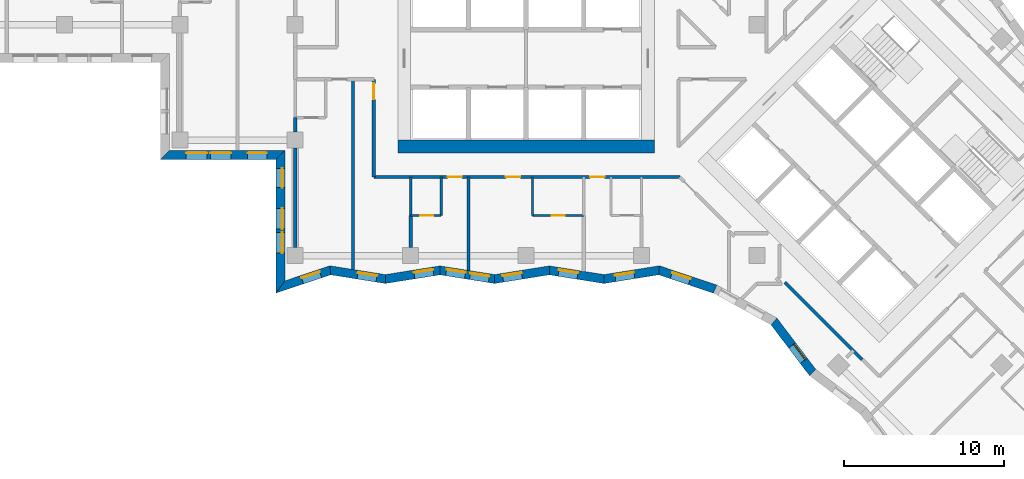
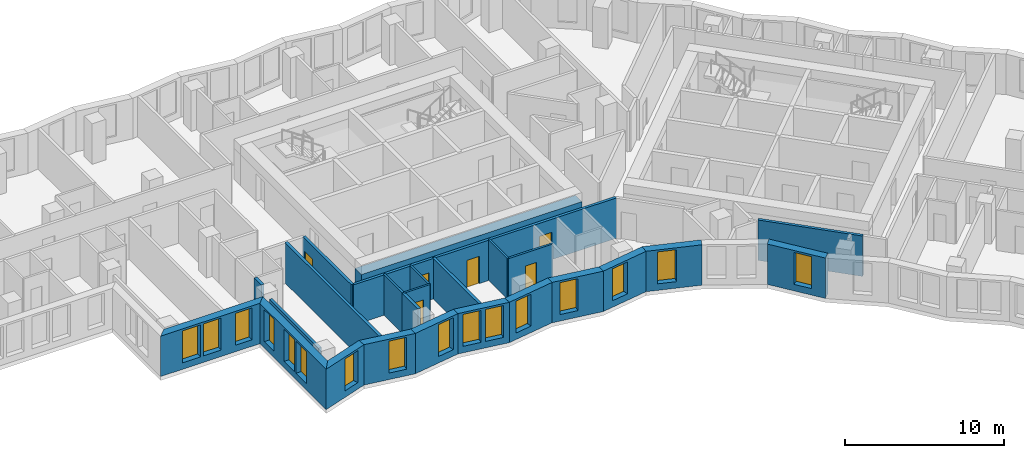
# One storey, part 2 of 13: 25 walls, 16 windows, 6 doors, 22 openings.
"""IFC4 building model written with IfcOpenShell, lengths in metres."""

from ifc_helpers import new_model, si_unit, direction, frame, frame_2d, origin, place, context, subcontext, project, spatial, polyline, rectangle, outline, extrude, material, layer, layer_set, type_object, element, fill, save


model = new_model("IFC4")

# Units and contexts
model_context = context("Model", 3, precision=1e-05, world=origin(), true_north=direction((0.0, 1.0)))
body_context = subcontext(model_context, "Body", "Model", "MODEL_VIEW")
ifc_project = project(units=[si_unit("LENGTHUNIT", "METRE"), si_unit("AREAUNIT", "SQUARE_METRE"), si_unit("VOLUMEUNIT", "CUBIC_METRE"), si_unit("PLANEANGLEUNIT", "RADIAN"), si_unit("MASSUNIT", "GRAM", prefix="KILO")], contexts=[model_context])

# Site, building, storey
site_placement = place(None, origin())
site = spatial("IfcSite", under=ifc_project, at=site_placement, CompositionType="ELEMENT")
building_placement = place(site_placement, origin())
building = spatial("IfcBuilding", under=site, at=building_placement, Name="Windrow Commons", CompositionType="ELEMENT")
storey_placement = place(building_placement, frame((0.0, 0.0, 108.4)))
storey = spatial("IfcBuildingStorey", under=building, at=storey_placement, Name="L29", CompositionType="ELEMENT", Elevation=108.4)

# Wall, openings, windows
ifc_material_1 = material(Name="Brick masonry, red clay brick", Category="masonry")
ifc_layer_1 = layer(ifc_material_1, 0.55)
ifc_layer_set_1 = layer_set([ifc_layer_1], Name="Brick facade wall 550")
wall_type_1 = type_object("IfcWallType", Name="Brick facade wall 550", PredefinedType="SOLIDWALL", material=ifc_layer_set_1)
wall_1_placement = place(storey_placement, frame((42.275, 49.475, 0.0), z_axis=(0.0, 0.0, 1.0), x_axis=(1.0, 0.0, 0.0)))
wall_1 = element("IfcWall", 1, at=wall_1_placement, inside=storey, type_object=wall_type_1, Name="Brick facade wall L29 42", PredefinedType="SOLIDWALL", context=body_context, shape_type="SweptSolid", body=[
    extrude(outline(polyline([(-0.275, -0.275), (6.925, -0.275), (7.475, 0.275), (0.275, 0.275), (-0.275, -0.275)])), origin(), (0.0, 0.0, 1.0), 3.1),
])
opening_1_placement = place(wall_1_placement, frame((1.325, 0.0, 0.5)))
opening_1 = element("IfcOpeningElement", 2, at=opening_1_placement, cuts=wall_1, Name="Opening W1P", PredefinedType="OPENING", context=body_context, shape_type="SweptSolid", body=[
    extrude(rectangle(XDim=1.3, YDim=2.45, at=frame_2d((0.65, 1.225))), frame((0.0, 0.285, 0.0), z_axis=(0.0, -1.0, 0.0), x_axis=(1.0, 0.0, 0.0)), (0.0, 0.0, 1.0), 0.57),
])
opening_2_placement = place(wall_1_placement, frame((2.825, 0.0, 0.5)))
opening_2 = element("IfcOpeningElement", 3, at=opening_2_placement, cuts=wall_1, Name="Opening W1P", PredefinedType="OPENING", context=body_context, shape_type="SweptSolid", body=[
    extrude(rectangle(XDim=1.3, YDim=2.45, at=frame_2d((0.65, 1.225))), frame((0.0, 0.285, 0.0), z_axis=(0.0, -1.0, 0.0), x_axis=(1.0, 0.0, 0.0)), (0.0, 0.0, 1.0), 0.57),
])
opening_3_placement = place(wall_1_placement, frame((5.1625, 0.0, 0.5)))
opening_3 = element("IfcOpeningElement", 4, at=opening_3_placement, cuts=wall_1, Name="Opening W7D", PredefinedType="OPENING", context=body_context, shape_type="SweptSolid", body=[
    extrude(rectangle(XDim=1.2, YDim=2.45, at=frame_2d((0.6, 1.225))), frame((0.0, 0.285, 0.0), z_axis=(0.0, -1.0, 0.0), x_axis=(1.0, 0.0, 0.0)), (0.0, 0.0, 1.0), 0.57),
])
ifc_material_2 = material(Name="Clear float glass in anodised aluminium frame", Category="aluminium")
window_type_1 = type_object("IfcWindowType", Name="Window W1P pair 1300x2450", PartitioningType="SINGLE_PANEL", PredefinedType="WINDOW", material=ifc_material_2)
window_1_placement = place(opening_1_placement, origin())
window_1 = element("IfcWindow", 5, at=window_1_placement, inside=storey, type_object=window_type_1, Name="Window L29 42.1A", OverallHeight=2.45, OverallWidth=1.3, PartitioningType="SINGLE_PANEL", PredefinedType="WINDOW", context=body_context, shape_type="SweptSolid", body=[
    extrude(rectangle(XDim=1.3, YDim=2.45, at=frame_2d((0.65, 1.225))), frame((0.0, 0.155, 0.0), z_axis=(0.0, -1.0, 0.0), x_axis=(1.0, 0.0, 0.0)), (0.0, 0.0, 1.0), 0.06),
])
fill(opening_1, window_1)
window_2_placement = place(opening_2_placement, origin())
window_2 = element("IfcWindow", 6, at=window_2_placement, inside=storey, type_object=window_type_1, Name="Window L29 42.1B", OverallHeight=2.45, OverallWidth=1.3, PartitioningType="SINGLE_PANEL", PredefinedType="WINDOW", context=body_context, shape_type="SweptSolid", body=[
    extrude(rectangle(XDim=1.3, YDim=2.45, at=frame_2d((0.65, 1.225))), frame((0.0, 0.155, 0.0), z_axis=(0.0, -1.0, 0.0), x_axis=(1.0, 0.0, 0.0)), (0.0, 0.0, 1.0), 0.06),
])
fill(opening_2, window_2)
ifc_material_3 = material(Name="Clear float glass in anodised aluminium frame", Category="aluminium")
window_type_2 = type_object("IfcWindowType", Name="Window W7 notch 1200x2450", PartitioningType="SINGLE_PANEL", PredefinedType="WINDOW", material=ifc_material_3)
window_3_placement = place(opening_3_placement, origin())
window_3 = element("IfcWindow", 7, at=window_3_placement, inside=storey, type_object=window_type_2, Name="Window L29 42.2", OverallHeight=2.45, OverallWidth=1.2, PartitioningType="SINGLE_PANEL", PredefinedType="WINDOW", context=body_context, shape_type="SweptSolid", body=[
    extrude(rectangle(XDim=1.2, YDim=2.45, at=frame_2d((0.6, 1.225))), frame((0.0, 0.155, 0.0), z_axis=(0.0, -1.0, 0.0), x_axis=(1.0, 0.0, 0.0)), (0.0, 0.0, 1.0), 0.06),
])
fill(opening_3, window_3)

wall_2_placement = place(storey_placement, frame((49.475, 49.475, 0.0), z_axis=(0.0, 0.0, 1.0), x_axis=(0.0, -1.0, 0.0)))
wall_2 = element("IfcWall", 8, at=wall_2_placement, inside=storey, type_object=wall_type_1, Name="Brick facade wall L29 43", PredefinedType="SOLIDWALL", context=body_context, shape_type="SweptSolid", body=[
    extrude(outline(polyline([(0.275, -0.275), (8.617, -0.275), (7.8528, 0.275), (-0.275, 0.275), (0.275, -0.275)])), origin(), (0.0, 0.0, 1.0), 3.1),
])
opening_4_placement = place(wall_2_placement, frame((3.325, 0.0, 0.5)))
opening_4 = element("IfcOpeningElement", 9, at=opening_4_placement, cuts=wall_2, Name="Opening W1P", PredefinedType="OPENING", context=body_context, shape_type="SweptSolid", body=[
    extrude(rectangle(XDim=1.3, YDim=2.45, at=frame_2d((0.65, 1.225))), frame((0.0, 0.285, 0.0), z_axis=(0.0, -1.0, 0.0), x_axis=(1.0, 0.0, 0.0)), (0.0, 0.0, 1.0), 0.57),
])
opening_5_placement = place(wall_2_placement, frame((4.825, 0.0, 0.5)))
opening_5 = element("IfcOpeningElement", 10, at=opening_5_placement, cuts=wall_2, Name="Opening W1P", PredefinedType="OPENING", context=body_context, shape_type="SweptSolid", body=[
    extrude(rectangle(XDim=1.3, YDim=2.45, at=frame_2d((0.65, 1.225))), frame((0.0, 0.285, 0.0), z_axis=(0.0, -1.0, 0.0), x_axis=(1.0, 0.0, 0.0)), (0.0, 0.0, 1.0), 0.57),
])
opening_6_placement = place(wall_2_placement, frame((0.8375, 0.0, 0.5)))
opening_6 = element("IfcOpeningElement", 11, at=opening_6_placement, cuts=wall_2, Name="Opening W7D", PredefinedType="OPENING", context=body_context, shape_type="SweptSolid", body=[
    extrude(rectangle(XDim=1.2, YDim=2.45, at=frame_2d((0.6, 1.225))), frame((0.0, 0.285, 0.0), z_axis=(0.0, -1.0, 0.0), x_axis=(1.0, 0.0, 0.0)), (0.0, 0.0, 1.0), 0.57),
])
window_4_placement = place(opening_4_placement, origin())
window_4 = element("IfcWindow", 12, at=window_4_placement, inside=storey, type_object=window_type_1, Name="Window L29 43.1A", OverallHeight=2.45, OverallWidth=1.3, PartitioningType="SINGLE_PANEL", PredefinedType="WINDOW", context=body_context, shape_type="SweptSolid", body=[
    extrude(rectangle(XDim=1.3, YDim=2.45, at=frame_2d((0.65, 1.225))), frame((0.0, 0.155, 0.0), z_axis=(0.0, -1.0, 0.0), x_axis=(1.0, 0.0, 0.0)), (0.0, 0.0, 1.0), 0.06),
])
fill(opening_4, window_4)
window_5_placement = place(opening_5_placement, origin())
window_5 = element("IfcWindow", 13, at=window_5_placement, inside=storey, type_object=window_type_1, Name="Window L29 43.1B", OverallHeight=2.45, OverallWidth=1.3, PartitioningType="SINGLE_PANEL", PredefinedType="WINDOW", context=body_context, shape_type="SweptSolid", body=[
    extrude(rectangle(XDim=1.3, YDim=2.45, at=frame_2d((0.65, 1.225))), frame((0.0, 0.155, 0.0), z_axis=(0.0, -1.0, 0.0), x_axis=(1.0, 0.0, 0.0)), (0.0, 0.0, 1.0), 0.06),
])
fill(opening_5, window_5)
window_6_placement = place(opening_6_placement, origin())
window_6 = element("IfcWindow", 14, at=window_6_placement, inside=storey, type_object=window_type_2, Name="Window L29 43.2", OverallHeight=2.45, OverallWidth=1.2, PartitioningType="SINGLE_PANEL", PredefinedType="WINDOW", context=body_context, shape_type="SweptSolid", body=[
    extrude(rectangle(XDim=1.2, YDim=2.45, at=frame_2d((0.6, 1.225))), frame((0.0, 0.155, 0.0), z_axis=(0.0, -1.0, 0.0), x_axis=(1.0, 0.0, 0.0)), (0.0, 0.0, 1.0), 0.06),
])
fill(opening_6, window_6)

# Wall, opening, window
wall_3_placement = place(storey_placement, frame((49.475, 41.2401, 0.0), z_axis=(0.0, 0.0, 1.0), x_axis=(0.9482466671, 0.3175346568, 0.0)))
wall_3 = element("IfcWall", 15, at=wall_3_placement, inside=storey, type_object=wall_type_1, Name="Brick facade wall L29 44", PredefinedType="SOLIDWALL", context=body_context, shape_type="SweptSolid", body=[
    extrude(outline(polyline([(-0.3821, -0.275), (3.2144, -0.275), (3.3492, 0.275), (0.3821, 0.275), (-0.3821, -0.275)])), origin(), (0.0, 0.0, 1.0), 3.1),
])
opening_7_placement = place(wall_3_placement, frame((1.4286, 0.0, 0.5)))
opening_7 = element("IfcOpeningElement", 16, at=opening_7_placement, cuts=wall_3, Name="Opening W7D", PredefinedType="OPENING", context=body_context, shape_type="SweptSolid", body=[
    extrude(rectangle(XDim=1.2, YDim=2.45, at=frame_2d((0.6, 1.225))), frame((0.0, 0.285, 0.0), z_axis=(0.0, -1.0, 0.0), x_axis=(1.0, 0.0, 0.0)), (0.0, 0.0, 1.0), 0.57),
])
window_7_placement = place(opening_7_placement, origin())
window_7 = element("IfcWindow", 17, at=window_7_placement, inside=storey, type_object=window_type_2, Name="Window L29 44.1", OverallHeight=2.45, OverallWidth=1.2, PartitioningType="SINGLE_PANEL", PredefinedType="WINDOW", context=body_context, shape_type="SweptSolid", body=[
    extrude(rectangle(XDim=1.2, YDim=2.45, at=frame_2d((0.6, 1.225))), frame((0.0, 0.155, 0.0), z_axis=(0.0, -1.0, 0.0), x_axis=(1.0, 0.0, 0.0)), (0.0, 0.0, 1.0), 0.06),
])
fill(opening_7, window_7)

wall_4_placement = place(storey_placement, frame((52.587, 42.2822, 0.0), z_axis=(0.0, 0.0, 1.0), x_axis=(0.9876057519, -0.1569550219, 0.0)))
wall_4 = element("IfcWall", 18, at=wall_4_placement, inside=storey, type_object=wall_type_1, Name="Brick facade wall L29 45", PredefinedType="SOLIDWALL", context=body_context, shape_type="SweptSolid", body=[
    extrude(outline(polyline([(0.0674, -0.275), (3.5206, -0.275), (3.4332, 0.275), (-0.0674, 0.275), (0.0674, -0.275)])), origin(), (0.0, 0.0, 1.0), 3.1),
])
opening_8_placement = place(wall_4_placement, frame((1.732, 0.0, 0.5)))
opening_8 = element("IfcOpeningElement", 19, at=opening_8_placement, cuts=wall_4, Name="Opening W7D", PredefinedType="OPENING", context=body_context, shape_type="SweptSolid", body=[
    extrude(rectangle(XDim=1.2, YDim=2.45, at=frame_2d((0.6, 1.225))), frame((0.0, 0.285, 0.0), z_axis=(0.0, -1.0, 0.0), x_axis=(1.0, 0.0, 0.0)), (0.0, 0.0, 1.0), 0.57),
])
window_8_placement = place(opening_8_placement, origin())
window_8 = element("IfcWindow", 20, at=window_8_placement, inside=storey, type_object=window_type_2, Name="Window L29 45.1", OverallHeight=2.45, OverallWidth=1.2, PartitioningType="SINGLE_PANEL", PredefinedType="WINDOW", context=body_context, shape_type="SweptSolid", body=[
    extrude(rectangle(XDim=1.2, YDim=2.45, at=frame_2d((0.6, 1.225))), frame((0.0, 0.155, 0.0), z_axis=(0.0, -1.0, 0.0), x_axis=(1.0, 0.0, 0.0)), (0.0, 0.0, 1.0), 0.06),
])
fill(opening_8, window_8)

wall_5_placement = place(storey_placement, frame((56.0207, 41.7365, 0.0), z_axis=(0.0, 0.0, 1.0), x_axis=(0.9876056196, 0.1569558544, 0.0)))
wall_5 = element("IfcWall", 21, at=wall_5_placement, inside=storey, type_object=wall_type_1, Name="Brick facade wall L29 46", PredefinedType="SOLIDWALL", context=body_context, shape_type="SweptSolid", body=[
    extrude(outline(polyline([(-0.0437, -0.275), (3.4095, -0.275), (3.4969, 0.275), (0.0437, 0.275), (-0.0437, -0.275)])), origin(), (0.0, 0.0, 1.0), 3.1),
])
opening_9_placement = place(wall_5_placement, frame((1.8261, 0.0, 0.5)))
opening_9 = element("IfcOpeningElement", 22, at=opening_9_placement, cuts=wall_5, Name="Opening W7D", PredefinedType="OPENING", context=body_context, shape_type="SweptSolid", body=[
    extrude(rectangle(XDim=1.2, YDim=2.45, at=frame_2d((0.6, 1.225))), frame((0.0, 0.285, 0.0), z_axis=(0.0, -1.0, 0.0), x_axis=(1.0, 0.0, 0.0)), (0.0, 0.0, 1.0), 0.57),
])
window_9_placement = place(opening_9_placement, origin())
window_9 = element("IfcWindow", 23, at=window_9_placement, inside=storey, type_object=window_type_2, Name="Window L29 46.1", OverallHeight=2.45, OverallWidth=1.2, PartitioningType="SINGLE_PANEL", PredefinedType="WINDOW", context=body_context, shape_type="SweptSolid", body=[
    extrude(rectangle(XDim=1.2, YDim=2.45, at=frame_2d((0.6, 1.225))), frame((0.0, 0.155, 0.0), z_axis=(0.0, -1.0, 0.0), x_axis=(1.0, 0.0, 0.0)), (0.0, 0.0, 1.0), 0.06),
])
fill(opening_9, window_9)

# Wall, openings, windows
wall_6_placement = place(storey_placement, frame((59.4311, 42.2785, 0.0), z_axis=(0.0, 0.0, 1.0), x_axis=(0.9876049061, -0.1569603434, 0.0)))
wall_6 = element("IfcWall", 24, at=wall_6_placement, inside=storey, type_object=wall_type_1, Name="Brick facade wall L29 47", PredefinedType="SOLIDWALL", context=body_context, shape_type="SweptSolid", body=[
    extrude(outline(polyline([(0.0437, -0.275), (3.4969, -0.275), (3.4095, 0.275), (-0.0437, 0.275), (0.0437, -0.275)])), origin(), (0.0, 0.0, 1.0), 3.1),
])
opening_10_placement = place(wall_6_placement, frame((0.3956, 0.0, 0.5)))
opening_10 = element("IfcOpeningElement", 25, at=opening_10_placement, cuts=wall_6, Name="Opening W7D", PredefinedType="OPENING", context=body_context, shape_type="SweptSolid", body=[
    extrude(rectangle(XDim=1.2, YDim=2.45, at=frame_2d((0.6, 1.225))), frame((0.0, 0.285, 0.0), z_axis=(0.0, -1.0, 0.0), x_axis=(1.0, 0.0, 0.0)), (0.0, 0.0, 1.0), 0.57),
])
opening_11_placement = place(wall_6_placement, frame((1.9003, 0.0, 0.5)))
opening_11 = element("IfcOpeningElement", 26, at=opening_11_placement, cuts=wall_6, Name="Opening W7D", PredefinedType="OPENING", context=body_context, shape_type="SweptSolid", body=[
    extrude(rectangle(XDim=1.2, YDim=2.45, at=frame_2d((0.6, 1.225))), frame((0.0, 0.285, 0.0), z_axis=(0.0, -1.0, 0.0), x_axis=(1.0, 0.0, 0.0)), (0.0, 0.0, 1.0), 0.57),
])
window_10_placement = place(opening_10_placement, origin())
window_10 = element("IfcWindow", 27, at=window_10_placement, inside=storey, type_object=window_type_2, Name="Window L29 47.1", OverallHeight=2.45, OverallWidth=1.2, PartitioningType="SINGLE_PANEL", PredefinedType="WINDOW", context=body_context, shape_type="SweptSolid", body=[
    extrude(rectangle(XDim=1.2, YDim=2.45, at=frame_2d((0.6, 1.225))), frame((0.0, 0.155, 0.0), z_axis=(0.0, -1.0, 0.0), x_axis=(1.0, 0.0, 0.0)), (0.0, 0.0, 1.0), 0.06),
])
fill(opening_10, window_10)
window_11_placement = place(opening_11_placement, origin())
window_11 = element("IfcWindow", 28, at=window_11_placement, inside=storey, type_object=window_type_2, Name="Window L29 47.2", OverallHeight=2.45, OverallWidth=1.2, PartitioningType="SINGLE_PANEL", PredefinedType="WINDOW", context=body_context, shape_type="SweptSolid", body=[
    extrude(rectangle(XDim=1.2, YDim=2.45, at=frame_2d((0.6, 1.225))), frame((0.0, 0.155, 0.0), z_axis=(0.0, -1.0, 0.0), x_axis=(1.0, 0.0, 0.0)), (0.0, 0.0, 1.0), 0.06),
])
fill(opening_11, window_11)

# Wall, opening, window
wall_7_placement = place(storey_placement, frame((62.8414, 41.7365, 0.0), z_axis=(0.0, 0.0, 1.0), x_axis=(0.9876056196, 0.1569558544, 0.0)))
wall_7 = element("IfcWall", 29, at=wall_7_placement, inside=storey, type_object=wall_type_1, Name="Brick facade wall L29 48", PredefinedType="SOLIDWALL", context=body_context, shape_type="SweptSolid", body=[
    extrude(outline(polyline([(-0.0437, -0.275), (3.4095, -0.275), (3.4969, 0.275), (0.0437, 0.275), (-0.0437, -0.275)])), origin(), (0.0, 0.0, 1.0), 3.1),
])
opening_12_placement = place(wall_7_placement, frame((0.5134, 0.0, 0.5)))
opening_12 = element("IfcOpeningElement", 30, at=opening_12_placement, cuts=wall_7, Name="Opening W7D", PredefinedType="OPENING", context=body_context, shape_type="SweptSolid", body=[
    extrude(rectangle(XDim=1.2, YDim=2.45, at=frame_2d((0.6, 1.225))), frame((0.0, 0.285, 0.0), z_axis=(0.0, -1.0, 0.0), x_axis=(1.0, 0.0, 0.0)), (0.0, 0.0, 1.0), 0.57),
])
window_12_placement = place(opening_12_placement, origin())
window_12 = element("IfcWindow", 31, at=window_12_placement, inside=storey, type_object=window_type_2, Name="Window L29 48.1", OverallHeight=2.45, OverallWidth=1.2, PartitioningType="SINGLE_PANEL", PredefinedType="WINDOW", context=body_context, shape_type="SweptSolid", body=[
    extrude(rectangle(XDim=1.2, YDim=2.45, at=frame_2d((0.6, 1.225))), frame((0.0, 0.155, 0.0), z_axis=(0.0, -1.0, 0.0), x_axis=(1.0, 0.0, 0.0)), (0.0, 0.0, 1.0), 0.06),
])
fill(opening_12, window_12)

wall_8_placement = place(storey_placement, frame((66.2518, 42.2785, 0.0), z_axis=(0.0, 0.0, 1.0), x_axis=(0.9876056196, -0.1569558544, 0.0)))
wall_8 = element("IfcWall", 32, at=wall_8_placement, inside=storey, type_object=wall_type_1, Name="Brick facade wall L29 49", PredefinedType="SOLIDWALL", context=body_context, shape_type="SweptSolid", body=[
    extrude(outline(polyline([(0.0437, -0.275), (3.4969, -0.275), (3.4095, 0.275), (-0.0437, 0.275), (0.0437, -0.275)])), origin(), (0.0, 0.0, 1.0), 3.1),
])
opening_13_placement = place(wall_8_placement, frame((0.5876, 0.0, 0.5)))
opening_13 = element("IfcOpeningElement", 33, at=opening_13_placement, cuts=wall_8, Name="Opening W7D", PredefinedType="OPENING", context=body_context, shape_type="SweptSolid", body=[
    extrude(rectangle(XDim=1.2, YDim=2.45, at=frame_2d((0.6, 1.225))), frame((0.0, 0.285, 0.0), z_axis=(0.0, -1.0, 0.0), x_axis=(1.0, 0.0, 0.0)), (0.0, 0.0, 1.0), 0.57),
])
window_13_placement = place(opening_13_placement, origin())
window_13 = element("IfcWindow", 34, at=window_13_placement, inside=storey, type_object=window_type_2, Name="Window L29 49.1", OverallHeight=2.45, OverallWidth=1.2, PartitioningType="SINGLE_PANEL", PredefinedType="WINDOW", context=body_context, shape_type="SweptSolid", body=[
    extrude(rectangle(XDim=1.2, YDim=2.45, at=frame_2d((0.6, 1.225))), frame((0.0, 0.155, 0.0), z_axis=(0.0, -1.0, 0.0), x_axis=(1.0, 0.0, 0.0)), (0.0, 0.0, 1.0), 0.06),
])
fill(opening_13, window_13)

wall_9_placement = place(storey_placement, frame((69.6622, 41.7365, 0.0), z_axis=(0.0, 0.0, 1.0), x_axis=(0.9876057519, 0.1569550219, 0.0)))
wall_9 = element("IfcWall", 35, at=wall_9_placement, inside=storey, type_object=wall_type_1, Name="Brick facade wall L29 50", PredefinedType="SOLIDWALL", context=body_context, shape_type="SweptSolid", body=[
    extrude(outline(polyline([(-0.0437, -0.275), (3.4095, -0.275), (3.5443, 0.275), (0.0437, 0.275), (-0.0437, -0.275)])), origin(), (0.0, 0.0, 1.0), 3.1),
])
opening_14_placement = place(wall_9_placement, frame((0.7054, 0.0, 0.5)))
opening_14 = element("IfcOpeningElement", 36, at=opening_14_placement, cuts=wall_9, Name="Opening W7D", PredefinedType="OPENING", context=body_context, shape_type="SweptSolid", body=[
    extrude(rectangle(XDim=1.2, YDim=2.45, at=frame_2d((0.6, 1.225))), frame((0.0, 0.285, 0.0), z_axis=(0.0, -1.0, 0.0), x_axis=(1.0, 0.0, 0.0)), (0.0, 0.0, 1.0), 0.57),
])
window_14_placement = place(opening_14_placement, origin())
window_14 = element("IfcWindow", 37, at=window_14_placement, inside=storey, type_object=window_type_2, Name="Window L29 50.1", OverallHeight=2.45, OverallWidth=1.2, PartitioningType="SINGLE_PANEL", PredefinedType="WINDOW", context=body_context, shape_type="SweptSolid", body=[
    extrude(rectangle(XDim=1.2, YDim=2.45, at=frame_2d((0.6, 1.225))), frame((0.0, 0.155, 0.0), z_axis=(0.0, -1.0, 0.0), x_axis=(1.0, 0.0, 0.0)), (0.0, 0.0, 1.0), 0.06),
])
fill(opening_14, window_14)

wall_10_placement = place(storey_placement, frame((73.0959, 42.2822, 0.0), z_axis=(0.0, 0.0, 1.0), x_axis=(0.9482459269, -0.3175368672, 0.0)))
wall_10 = element("IfcWall", 38, at=wall_10_placement, inside=storey, type_object=wall_type_1, Name="Brick facade wall L29 51", PredefinedType="SOLIDWALL", context=body_context, shape_type="SweptSolid", body=[
    extrude(outline(polyline([(0.0674, -0.275), (3.6639, -0.275), (3.7135, 0.275), (-0.0674, 0.275), (0.0674, -0.275)])), origin(), (0.0, 0.0, 1.0), 3.1),
])
opening_15_placement = place(wall_10_placement, frame((0.8204, 0.0, 0.5)))
opening_15 = element("IfcOpeningElement", 39, at=opening_15_placement, cuts=wall_10, Name="Opening W7D", PredefinedType="OPENING", context=body_context, shape_type="SweptSolid", body=[
    extrude(rectangle(XDim=1.2, YDim=2.45, at=frame_2d((0.6, 1.225))), frame((0.0, 0.285, 0.0), z_axis=(0.0, -1.0, 0.0), x_axis=(1.0, 0.0, 0.0)), (0.0, 0.0, 1.0), 0.57),
])
window_15_placement = place(opening_15_placement, origin())
window_15 = element("IfcWindow", 40, at=window_15_placement, inside=storey, type_object=window_type_2, Name="Window L29 51.1", OverallHeight=2.45, OverallWidth=1.2, PartitioningType="SINGLE_PANEL", PredefinedType="WINDOW", context=body_context, shape_type="SweptSolid", body=[
    extrude(rectangle(XDim=1.2, YDim=2.45, at=frame_2d((0.6, 1.225))), frame((0.0, 0.155, 0.0), z_axis=(0.0, -1.0, 0.0), x_axis=(1.0, 0.0, 0.0)), (0.0, 0.0, 1.0), 0.06),
])
fill(opening_15, window_15)

wall_11_placement = place(storey_placement, frame((80.2585, 39.094, 0.0), z_axis=(0.0, 0.0, 1.0), x_axis=(0.6040769252, -0.7969260119, 0.0)))
wall_11 = element("IfcWall", 41, at=wall_11_placement, inside=storey, type_object=wall_type_1, Name="Brick facade wall L29 53", PredefinedType="SOLIDWALL", context=body_context, shape_type="SweptSolid", body=[
    extrude(outline(polyline([(0.0585, -0.275), (4.0332, -0.275), (3.9575, 0.275), (-0.0585, 0.275), (0.0585, -0.275)])), origin(), (0.0, 0.0, 1.0), 3.1),
])
opening_16_placement = place(wall_11_placement, frame((1.876, 0.0, 0.5)))
opening_16 = element("IfcOpeningElement", 42, at=opening_16_placement, cuts=wall_11, Name="Opening W7D", PredefinedType="OPENING", context=body_context, shape_type="SweptSolid", body=[
    extrude(rectangle(XDim=1.2, YDim=2.45, at=frame_2d((0.6, 1.225))), frame((0.0, 0.285, 0.0), z_axis=(0.0, -1.0, 0.0), x_axis=(1.0, 0.0, 0.0)), (0.0, 0.0, 1.0), 0.57),
])
window_16_placement = place(opening_16_placement, origin())
window_16 = element("IfcWindow", 43, at=window_16_placement, inside=storey, type_object=window_type_2, Name="Window L29 53.1", OverallHeight=2.45, OverallWidth=1.2, PartitioningType="SINGLE_PANEL", PredefinedType="WINDOW", context=body_context, shape_type="SweptSolid", body=[
    extrude(rectangle(XDim=1.2, YDim=2.45, at=frame_2d((0.6, 1.225))), frame((0.0, 0.155, 0.0), z_axis=(0.0, -1.0, 0.0), x_axis=(1.0, 0.0, 0.0)), (0.0, 0.0, 1.0), 0.06),
])
fill(opening_16, window_16)

# Wall, openings, doors
ifc_material_4 = material(Name="Blockwork partition", Category="masonry")
ifc_layer_2 = layer(ifc_material_4, 0.2)
ifc_layer_set_2 = layer_set([ifc_layer_2], Name="IW-CORRIDOR-200")
wall_type_2 = type_object("IfcWallType", Name="IW-CORRIDOR-200", PredefinedType="PARTITIONING", material=ifc_layer_set_2)
wall_12_placement = place(storey_placement, frame((55.3, 48.1, 0.0), z_axis=(0.0, 0.0, 1.0), x_axis=(1.0, 0.0, 0.0)))
wall_12 = element("IfcWall", 44, at=wall_12_placement, inside=storey, type_object=wall_type_2, Name="W-L29-W003", PredefinedType="PARTITIONING", context=body_context, shape_type="SweptSolid", body=[
    extrude(rectangle(XDim=19.092, YDim=0.2, at=frame_2d((9.546, 0.0))), origin(), (0.0, 0.0, 1.0), 3.1),
])
opening_17_placement = place(wall_12_placement, frame((4.6, 0.0, 0.0)))
opening_17 = element("IfcOpeningElement", 45, at=opening_17_placement, cuts=wall_12, Name="Opening D109S", PredefinedType="OPENING", context=body_context, shape_type="SweptSolid", body=[
    extrude(rectangle(XDim=0.9, YDim=2.1, at=frame_2d((0.45, 1.05))), frame((0.0, 0.11, 0.0), z_axis=(0.0, -1.0, 0.0), x_axis=(1.0, 0.0, 0.0)), (0.0, 0.0, 1.0), 0.22),
])
opening_18_placement = place(wall_12_placement, frame((8.2393, 0.0, 0.0)))
opening_18 = element("IfcOpeningElement", 46, at=opening_18_placement, cuts=wall_12, Name="Opening D109F", PredefinedType="OPENING", context=body_context, shape_type="SweptSolid", body=[
    extrude(rectangle(XDim=0.9, YDim=2.1, at=frame_2d((0.45, 1.05))), frame((0.0, 0.11, 0.0), z_axis=(0.0, -1.0, 0.0), x_axis=(1.0, 0.0, 0.0)), (0.0, 0.0, 1.0), 0.22),
])
opening_19_placement = place(wall_12_placement, frame((13.5, 0.0, 0.0)))
opening_19 = element("IfcOpeningElement", 47, at=opening_19_placement, cuts=wall_12, Name="Opening D109S", PredefinedType="OPENING", context=body_context, shape_type="SweptSolid", body=[
    extrude(rectangle(XDim=0.9, YDim=2.1, at=frame_2d((0.45, 1.05))), frame((0.0, 0.11, 0.0), z_axis=(0.0, -1.0, 0.0), x_axis=(1.0, 0.0, 0.0)), (0.0, 0.0, 1.0), 0.22),
])
ifc_material_5 = material(Name="Timber door leaf", Category="wood")
door_type_1 = type_object("IfcDoorType", Name="DT-BEDROOM-900", OperationType="SINGLE_SWING_LEFT", PredefinedType="DOOR", material=ifc_material_5)
door_1_placement = place(opening_17_placement, origin())
door_1 = element("IfcDoor", 48, at=door_1_placement, inside=storey, type_object=door_type_1, Name="D-L29-D028", OperationType="SINGLE_SWING_LEFT", OverallHeight=2.1, OverallWidth=0.9, PredefinedType="DOOR", context=body_context, shape_type="SweptSolid", body=[
    extrude(rectangle(XDim=0.9, YDim=2.1, at=frame_2d((0.45, 1.05))), frame((0.0, 0.025, 0.0), z_axis=(0.0, -1.0, 0.0), x_axis=(1.0, 0.0, 0.0)), (0.0, 0.0, 1.0), 0.05),
])
fill(opening_17, door_1)
door_2_placement = place(opening_18_placement, origin())
door_2 = element("IfcDoor", 49, at=door_2_placement, inside=storey, type_object=door_type_1, Name="D-L29-D030", OperationType="SINGLE_SWING_RIGHT", OverallHeight=2.1, OverallWidth=0.9, PredefinedType="DOOR", context=body_context, shape_type="SweptSolid", body=[
    extrude(rectangle(XDim=0.9, YDim=2.1, at=frame_2d((0.45, 1.05))), frame((0.0, 0.025, 0.0), z_axis=(0.0, -1.0, 0.0), x_axis=(1.0, 0.0, 0.0)), (0.0, 0.0, 1.0), 0.05),
])
fill(opening_18, door_2)
door_3_placement = place(opening_19_placement, origin())
door_3 = element("IfcDoor", 50, at=door_3_placement, inside=storey, type_object=door_type_1, Name="D-L29-D032", OperationType="SINGLE_SWING_RIGHT", OverallHeight=2.1, OverallWidth=0.9, PredefinedType="DOOR", context=body_context, shape_type="SweptSolid", body=[
    extrude(rectangle(XDim=0.9, YDim=2.1, at=frame_2d((0.45, 1.05))), frame((0.0, 0.025, 0.0), z_axis=(0.0, -1.0, 0.0), x_axis=(1.0, 0.0, 0.0)), (0.0, 0.0, 1.0), 0.05),
])
fill(opening_19, door_3)

# Wall
wall_13_placement = place(storey_placement, frame((80.9485, 41.5365, 0.0), z_axis=(0.0, 0.0, 1.0), x_axis=(0.7071067812, -0.7071067812, 0.0)))
element("IfcWall", 51, at=wall_13_placement, inside=storey, type_object=wall_type_2, Name="W-L29-W023", PredefinedType="PARTITIONING", context=body_context, shape_type="SweptSolid", body=[
    extrude(rectangle(XDim=6.8222, YDim=0.2, at=frame_2d((3.4111, 0.0))), origin(), (0.0, 0.0, 1.0), 3.1),
])

# Wall, opening, door
wall_14_placement = place(storey_placement, frame((55.3, 48.1, 0.0), z_axis=(0.0, 0.0, 1.0), x_axis=(0.0, 1.0, 0.0)))
wall_14 = element("IfcWall", 52, at=wall_14_placement, inside=storey, type_object=wall_type_2, Name="W-L29-W027", PredefinedType="PARTITIONING", context=body_context, shape_type="SweptSolid", body=[
    extrude(rectangle(XDim=6.1, YDim=0.2, at=frame_2d((3.05, 0.0))), origin(), (0.0, 0.0, 1.0), 3.1),
])
opening_20_placement = place(wall_14_placement, frame((4.8446, 0.0, 0.0)))
opening_20 = element("IfcOpeningElement", 53, at=opening_20_placement, cuts=wall_14, Name="Opening D310F", PredefinedType="OPENING", context=body_context, shape_type="SweptSolid", body=[
    extrude(rectangle(XDim=1.0, YDim=2.1, at=frame_2d((0.5, 1.05))), frame((0.0, 0.11, 0.0), z_axis=(0.0, -1.0, 0.0), x_axis=(1.0, 0.0, 0.0)), (0.0, 0.0, 1.0), 0.22),
])
ifc_material_6 = material(Name="Timber door leaf", Category="wood")
door_type_2 = type_object("IfcDoorType", Name="DT-AMENITY-1000", OperationType="SINGLE_SWING_LEFT", PredefinedType="DOOR", material=ifc_material_6)
door_4_placement = place(opening_20_placement, origin())
door_4 = element("IfcDoor", 54, at=door_4_placement, inside=storey, type_object=door_type_2, Name="D-L29-D023", OperationType="SINGLE_SWING_RIGHT", OverallHeight=2.1, OverallWidth=1.0, PredefinedType="DOOR", context=body_context, shape_type="SweptSolid", body=[
    extrude(rectangle(XDim=1.0, YDim=2.1, at=frame_2d((0.5, 1.05))), frame((0.0, 0.025, 0.0), z_axis=(0.0, -1.0, 0.0), x_axis=(1.0, 0.0, 0.0)), (0.0, 0.0, 1.0), 0.05),
])
fill(opening_20, door_4)

ifc_material_7 = material(Name="Blockwork partition", Category="masonry")
ifc_layer_3 = layer(ifc_material_7, 0.15)
ifc_layer_set_3 = layer_set([ifc_layer_3], Name="IW-ENSUITE-150")
wall_type_3 = type_object("IfcWallType", Name="IW-ENSUITE-150", PredefinedType="PARTITIONING", material=ifc_layer_set_3)
wall_15_placement = place(storey_placement, frame((65.2, 45.7, 0.0), z_axis=(0.0, 0.0, 1.0), x_axis=(1.0, 0.0, 0.0)))
wall_15 = element("IfcWall", 55, at=wall_15_placement, inside=storey, type_object=wall_type_3, Name="W-L29-W058", PredefinedType="PARTITIONING", context=body_context, shape_type="SweptSolid", body=[
    extrude(rectangle(XDim=3.2, YDim=0.15, at=frame_2d((1.6, 0.0))), origin(), (0.0, 0.0, 1.0), 3.1),
])
opening_21_placement = place(wall_15_placement, frame((1.2042, 0.0, 0.0)))
opening_21 = element("IfcOpeningElement", 56, at=opening_21_placement, cuts=wall_15, Name="Opening D208N", PredefinedType="OPENING", context=body_context, shape_type="SweptSolid", body=[
    extrude(rectangle(XDim=0.8, YDim=2.1, at=frame_2d((0.4, 1.05))), frame((0.0, 0.085, 0.0), z_axis=(0.0, -1.0, 0.0), x_axis=(1.0, 0.0, 0.0)), (0.0, 0.0, 1.0), 0.17),
])
ifc_material_8 = material(Name="Timber door leaf", Category="wood")
door_type_3 = type_object("IfcDoorType", Name="DT-ENSUITE-800", OperationType="SINGLE_SWING_LEFT", PredefinedType="DOOR", material=ifc_material_8)
door_5_placement = place(opening_21_placement, origin())
door_5 = element("IfcDoor", 57, at=door_5_placement, inside=storey, type_object=door_type_3, Name="D-L29-D031", OperationType="SINGLE_SWING_RIGHT", OverallHeight=2.1, OverallWidth=0.8, PredefinedType="DOOR", context=body_context, shape_type="SweptSolid", body=[
    extrude(rectangle(XDim=0.8, YDim=2.1, at=frame_2d((0.4, 1.05))), frame((0.0, 0.025, 0.0), z_axis=(0.0, -1.0, 0.0), x_axis=(1.0, 0.0, 0.0)), (0.0, 0.0, 1.0), 0.05),
])
fill(opening_21, door_5)

# Walls
for number, where, z_axis, x_axis, name in (
    (58, (59.5, 45.7, 0.0), (0.0, 0.0, 1.0), (0.0, 1.0, 0.0), "W-L29-W086"),
    (59, (57.6, 45.7, 0.0), (0.0, 0.0, 1.0), (0.0, 1.0, 0.0), "W-L29-W087"),
    (60, (65.2, 45.7, 0.0), (0.0, 0.0, 1.0), (0.0, 1.0, 0.0), "W-L29-W088"),
):
    element("IfcWall", number, at=place(storey_placement, frame(where, z_axis=z_axis, x_axis=x_axis)), inside=storey, type_object=wall_type_3, Name=name, PredefinedType="PARTITIONING", context=body_context, shape_type="SweptSolid", body=[
        extrude(rectangle(XDim=2.4, YDim=0.15, at=frame_2d((1.2, 0.0))), origin(), (0.0, 0.0, 1.0), 3.1),
    ])

# Wall, opening, door
wall_16_placement = place(storey_placement, frame((57.6, 45.7, 0.0), z_axis=(0.0, 0.0, 1.0), x_axis=(1.0, 0.0, 0.0)))
wall_16 = element("IfcWall", 61, at=wall_16_placement, inside=storey, type_object=wall_type_3, Name="W-L29-W126", PredefinedType="PARTITIONING", context=body_context, shape_type="SweptSolid", body=[
    extrude(rectangle(XDim=1.9, YDim=0.15, at=frame_2d((0.95, 0.0))), origin(), (0.0, 0.0, 1.0), 3.1),
])
opening_22_placement = place(wall_16_placement, frame((0.6069, 0.0, 0.0)))
opening_22 = element("IfcOpeningElement", 62, at=opening_22_placement, cuts=wall_16, Name="Opening D208N", PredefinedType="OPENING", context=body_context, shape_type="SweptSolid", body=[
    extrude(rectangle(XDim=0.8, YDim=2.1, at=frame_2d((0.4, 1.05))), frame((0.0, 0.085, 0.0), z_axis=(0.0, -1.0, 0.0), x_axis=(1.0, 0.0, 0.0)), (0.0, 0.0, 1.0), 0.17),
])
door_6_placement = place(opening_22_placement, origin())
door_6 = element("IfcDoor", 63, at=door_6_placement, inside=storey, type_object=door_type_3, Name="D-L29-D029", OperationType="SINGLE_SWING_RIGHT", OverallHeight=2.1, OverallWidth=0.8, PredefinedType="DOOR", context=body_context, shape_type="SweptSolid", body=[
    extrude(rectangle(XDim=0.8, YDim=2.1, at=frame_2d((0.4, 1.05))), frame((0.0, 0.025, 0.0), z_axis=(0.0, -1.0, 0.0), x_axis=(1.0, 0.0, 0.0)), (0.0, 0.0, 1.0), 0.05),
])
fill(opening_22, door_6)

# Walls
ifc_material_9 = material(Name="Blockwork partition", Category="masonry")
ifc_layer_4 = layer(ifc_material_9, 0.2)
ifc_layer_set_4 = layer_set([ifc_layer_4], Name="IW-PARTY-200")
wall_type_4 = type_object("IfcWallType", Name="IW-PARTY-200", PredefinedType="PARTITIONING", material=ifc_layer_set_4)
wall_17_placement = place(storey_placement, frame((54.0, 42.3361, 0.0), z_axis=(0.0, 0.0, 1.0), x_axis=(0.0, 1.0, 0.0)))
element("IfcWall", 64, at=wall_17_placement, inside=storey, type_object=wall_type_4, Name="W-L29-W008", PredefinedType="PARTITIONING", context=body_context, shape_type="SweptSolid", body=[
    extrude(rectangle(XDim=11.8639, YDim=0.2, at=frame_2d((5.9319, 0.0))), origin(), (0.0, 0.0, 1.0), 3.1),
])
wall_18_placement = place(storey_placement, frame((50.4, 43.7, 0.0), z_axis=(0.0, 0.0, 1.0), x_axis=(0.0, 1.0, 0.0)))
element("IfcWall", 65, at=wall_18_placement, inside=storey, type_object=wall_type_4, Name="W-L29-W026", PredefinedType="PARTITIONING", context=body_context, shape_type="SweptSolid", body=[
    extrude(rectangle(XDim=6.2, YDim=0.2, at=frame_2d((3.1, 0.0))), origin(), (0.0, 0.0, 1.0), 2.6),
])
wall_19_placement = place(storey_placement, frame((61.2, 42.2758, 0.0), z_axis=(0.0, 0.0, 1.0), x_axis=(0.0, 1.0, 0.0)))
element("IfcWall", 66, at=wall_19_placement, inside=storey, type_object=wall_type_4, Name="W-L29-W033", PredefinedType="PARTITIONING", context=body_context, shape_type="SweptSolid", body=[
    extrude(rectangle(XDim=5.8242, YDim=0.2, at=frame_2d((2.9121, 0.0))), origin(), (0.0, 0.0, 1.0), 3.1),
])
wall_20_placement = place(storey_placement, frame((57.6, 43.7, 0.0), z_axis=(0.0, 0.0, 1.0), x_axis=(0.0, 1.0, 0.0)))
element("IfcWall", 67, at=wall_20_placement, inside=storey, type_object=wall_type_4, Name="W-L29-W107", PredefinedType="PARTITIONING", context=body_context, shape_type="SweptSolid", body=[
    extrude(rectangle(XDim=2.0, YDim=0.2, at=frame_2d((1.0, 0.0))), origin(), (0.0, 0.0, 1.0), 3.1),
])
wall_21_placement = place(storey_placement, frame((50.4, 50.9, 0.0), z_axis=(0.0, 0.0, 1.0), x_axis=(0.0, 1.0, 0.0)))
element("IfcWall", 68, at=wall_21_placement, inside=storey, type_object=wall_type_4, Name="W-L29-W141", PredefinedType="PARTITIONING", context=body_context, shape_type="SweptSolid", body=[
    extrude(rectangle(XDim=0.9, YDim=0.2, at=frame_2d((0.45, 0.0))), origin(), (0.0, 0.0, 1.0), 3.1),
])
ifc_material_10 = material(Name="Concrete C50/60", Category="concrete")
ifc_layer_5 = layer(ifc_material_10, 0.8)
ifc_layer_set_5 = layer_set([ifc_layer_5], Name="RC CORE WALL 800 C50/60")
wall_type_5 = type_object("IfcWallType", Name="RC CORE WALL 800 C50/60", PredefinedType="SHEAR", material=ifc_layer_set_5)
wall_22_placement = place(storey_placement, frame((56.8, 50.0, -0.3), z_axis=(0.0, 0.0, 1.0), x_axis=(1.0, 0.0, 0.0)))
element("IfcWall", 69, at=wall_22_placement, inside=storey, type_object=wall_type_5, Name="Core A wall outer-S", PredefinedType="SHEAR", context=body_context, shape_type="SweptSolid", body=[
    extrude(rectangle(XDim=16.0, YDim=0.8, at=frame_2d((8.0, 0.0))), origin(), (0.0, 0.0, 1.0), 2.7),
])

save(model, "model.ifc")
